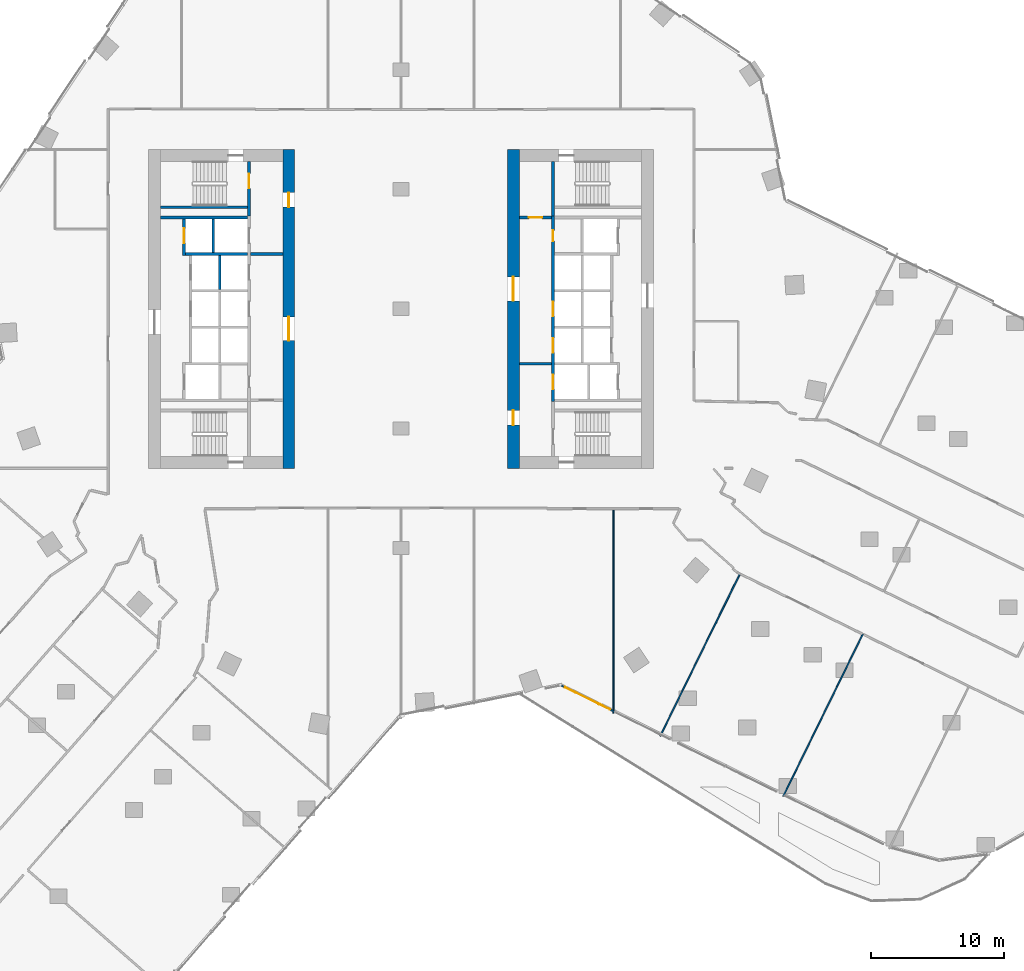
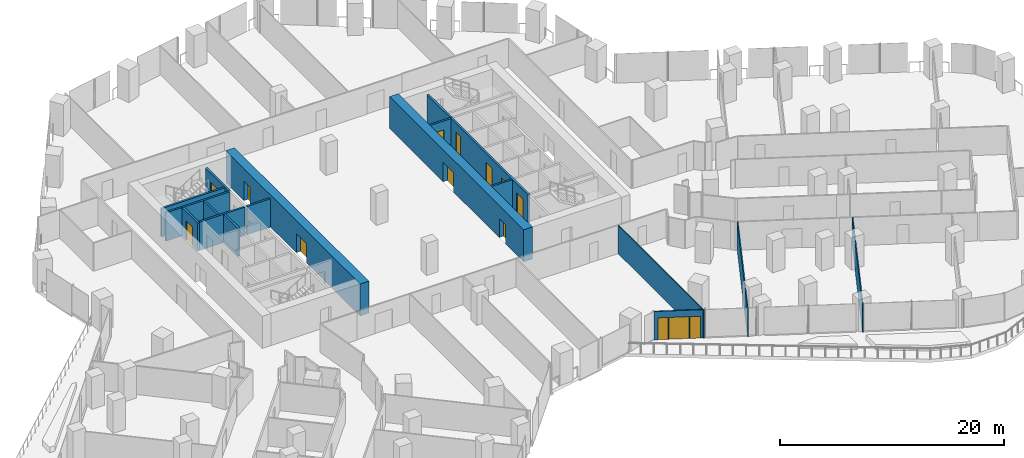
# One storey, part 24 of 32: 18 walls, 12 doors, 2 windows, 14 openings.
"""IFC4 building model written with IfcOpenShell, lengths in metres."""

from ifc_helpers import new_model, si_unit, direction, frame, frame_2d, origin, place, context, subcontext, project, spatial, rectangle, extrude, material, layer, layer_set, type_object, element, fill, save


model = new_model("IFC4")

# Units and contexts
model_context = context("Model", 3, precision=1e-05, world=origin(), true_north=direction((0.0, 1.0)))
body_context = subcontext(model_context, "Body", "Model", "MODEL_VIEW")
ifc_project = project(units=[si_unit("LENGTHUNIT", "METRE"), si_unit("AREAUNIT", "SQUARE_METRE"), si_unit("VOLUMEUNIT", "CUBIC_METRE"), si_unit("PLANEANGLEUNIT", "RADIAN"), si_unit("MASSUNIT", "GRAM", prefix="KILO")], contexts=[model_context])

# Site, building, storey
site_placement = place(None, origin())
site = spatial("IfcSite", under=ifc_project, at=site_placement, CompositionType="ELEMENT")
building_placement = place(site_placement, origin())
building = spatial("IfcBuilding", under=site, at=building_placement, Name="Orlundy Tower", CompositionType="ELEMENT")
storey_placement = place(building_placement, frame((0.0, 0.0, 58.800048828125)))
storey = spatial("IfcBuildingStorey", under=building, at=storey_placement, Name="L13", CompositionType="ELEMENT", Elevation=58.800048828125)

# Wall, openings, doors
ifc_material_1 = material(Name="Concrete C80/95", Category="concrete")
ifc_layer_1 = layer(ifc_material_1, 0.89990234375)
ifc_layer_set_1 = layer_set([ifc_layer_1], Name="CORE WALL 900 C80/95")
wall_type_1 = type_object("IfcWallType", Name="CORE WALL 900 C80/95", PredefinedType="SHEAR", material=ifc_layer_set_1)
wall_1_placement = place(storey_placement, frame((-8.449951171875, -12.0, 0.0), z_axis=(0.0, 0.0, 1.0), x_axis=(0.0, 1.0, 0.0)))
wall_1 = element("IfcWall", 1, at=wall_1_placement, inside=storey, type_object=wall_type_1, Name="Core wall W-E L13", PredefinedType="SHEAR", context=body_context, shape_type="SweptSolid", body=[
    extrude(rectangle(XDim=24.0, YDim=0.89990234375, at=frame_2d((12.0, 0.0))), origin(), (0.0, 0.0, 1.0), 3.5),
])
opening_1_placement = place(wall_1_placement, frame((9.60009765625, 0.0, 0.0)))
opening_1 = element("IfcOpeningElement", 2, at=opening_1_placement, cuts=wall_1, Name="Opening 12009", PredefinedType="OPENING", context=body_context, shape_type="SweptSolid", body=[
    extrude(rectangle(XDim=1.800048828125, YDim=2.10009765625, at=frame_2d((0.89990234375, 1.050048828125))), frame((0.0, 0.4599609375, 0.0), z_axis=(0.0, -1.0, 0.0), x_axis=(1.0, 0.0, 0.0)), (0.0, 0.0, 1.0), 0.919921875),
])
opening_2_placement = place(wall_1_placement, frame((19.64990234375, 0.0, 0.0)))
opening_2 = element("IfcOpeningElement", 3, at=opening_2_placement, cuts=wall_1, Name="Opening 12011", PredefinedType="OPENING", context=body_context, shape_type="SweptSolid", body=[
    extrude(rectangle(XDim=1.10009765625, YDim=2.10009765625, at=frame_2d((0.550048828125, 1.050048828125))), frame((0.0, 0.4599609375, 0.0), z_axis=(0.0, -1.0, 0.0), x_axis=(1.0, 0.0, 0.0)), (0.0, 0.0, 1.0), 0.919921875),
])
ifc_material_2 = material(Name="Steel door set", Category="steel")
door_type_1 = type_object("IfcDoorType", Name="Fire-fighting Lobby Door 1100x2100", OperationType="SINGLE_SWING_LEFT", PredefinedType="DOOR", material=ifc_material_2)
door_1_placement = place(opening_2_placement, origin())
door_1 = element("IfcDoor", 4, at=door_1_placement, inside=storey, type_object=door_type_1, Name="Fire-fighting lobby door 12011", OperationType="SINGLE_SWING_RIGHT", OverallHeight=2.10009765625, OverallWidth=1.10009765625, PredefinedType="DOOR", context=body_context, shape_type="SweptSolid", body=[
    extrude(rectangle(XDim=1.10009765625, YDim=2.10009765625, at=frame_2d((0.550048828125, 1.050048828125))), frame((0.0, 0.02490234375, 0.0), z_axis=(0.0, -1.0, 0.0), x_axis=(1.0, 0.0, 0.0)), (0.0, 0.0, 1.0), 0.050048828125),
])
fill(opening_2, door_1)
ifc_material_3 = material(Name="Timber door set", Category="wood")
door_type_2 = type_object("IfcDoorType", Name="Lobby Door 1800x2100", OperationType="DOUBLE_DOOR_DOUBLE_SWING", PredefinedType="DOOR", material=ifc_material_3)
door_2_placement = place(opening_1_placement, origin())
door_2 = element("IfcDoor", 5, at=door_2_placement, inside=storey, type_object=door_type_2, Name="Lift lobby door 12009", OperationType="SINGLE_SWING_LEFT", OverallHeight=2.10009765625, OverallWidth=1.800048828125, PredefinedType="DOOR", context=body_context, shape_type="SweptSolid", body=[
    extrude(rectangle(XDim=1.800048828125, YDim=2.10009765625, at=frame_2d((0.89990234375, 1.050048828125))), frame((0.0, 0.02490234375, 0.0), z_axis=(0.0, -1.0, 0.0), x_axis=(1.0, 0.0, 0.0)), (0.0, 0.0, 1.0), 0.050048828125),
])
fill(opening_1, door_2)

wall_2_placement = place(storey_placement, frame((8.449951171875, -12.0, 0.0), z_axis=(0.0, 0.0, 1.0), x_axis=(0.0, 1.0, 0.0)))
wall_2 = element("IfcWall", 6, at=wall_2_placement, inside=storey, type_object=wall_type_1, Name="Core wall E-W L13", PredefinedType="SHEAR", context=body_context, shape_type="SweptSolid", body=[
    extrude(rectangle(XDim=24.0, YDim=0.89990234375, at=frame_2d((12.0, 0.0))), origin(), (0.0, 0.0, 1.0), 3.5),
])
opening_3_placement = place(wall_2_placement, frame((12.60009765625, 0.0, 0.0)))
opening_3 = element("IfcOpeningElement", 7, at=opening_3_placement, cuts=wall_2, Name="Opening 12058", PredefinedType="OPENING", context=body_context, shape_type="SweptSolid", body=[
    extrude(rectangle(XDim=1.800048828125, YDim=2.10009765625, at=frame_2d((0.89990234375, 1.050048828125))), frame((0.0, 0.4599609375, 0.0), z_axis=(0.0, -1.0, 0.0), x_axis=(1.0, 0.0, 0.0)), (0.0, 0.0, 1.0), 0.919921875),
])
opening_4_placement = place(wall_2_placement, frame((3.25, 0.0, 0.0)))
opening_4 = element("IfcOpeningElement", 8, at=opening_4_placement, cuts=wall_2, Name="Opening 12060", PredefinedType="OPENING", context=body_context, shape_type="SweptSolid", body=[
    extrude(rectangle(XDim=1.10009765625, YDim=2.10009765625, at=frame_2d((0.550048828125, 1.050048828125))), frame((0.0, 0.4599609375, 0.0), z_axis=(0.0, -1.0, 0.0), x_axis=(1.0, 0.0, 0.0)), (0.0, 0.0, 1.0), 0.919921875),
])
door_3_placement = place(opening_4_placement, origin())
door_3 = element("IfcDoor", 9, at=door_3_placement, inside=storey, type_object=door_type_1, Name="Fire-fighting lobby door 12060", OperationType="SINGLE_SWING_LEFT", OverallHeight=2.10009765625, OverallWidth=1.10009765625, PredefinedType="DOOR", context=body_context, shape_type="SweptSolid", body=[
    extrude(rectangle(XDim=1.10009765625, YDim=2.10009765625, at=frame_2d((0.550048828125, 1.050048828125))), frame((0.0, 0.02490234375, 0.0), z_axis=(0.0, -1.0, 0.0), x_axis=(1.0, 0.0, 0.0)), (0.0, 0.0, 1.0), 0.050048828125),
])
fill(opening_4, door_3)
door_4_placement = place(opening_3_placement, origin())
door_4 = element("IfcDoor", 10, at=door_4_placement, inside=storey, type_object=door_type_2, Name="Lift lobby door 12058", OperationType="SINGLE_SWING_RIGHT", OverallHeight=2.10009765625, OverallWidth=1.800048828125, PredefinedType="DOOR", context=body_context, shape_type="SweptSolid", body=[
    extrude(rectangle(XDim=1.800048828125, YDim=2.10009765625, at=frame_2d((0.89990234375, 1.050048828125))), frame((0.0, 0.02490234375, 0.0), z_axis=(0.0, -1.0, 0.0), x_axis=(1.0, 0.0, 0.0)), (0.0, 0.0, 1.0), 0.050048828125),
])
fill(opening_3, door_4)

# Walls
ifc_material_4 = material(Name="Gypsum board partition")
ifc_layer_2 = layer(ifc_material_4, 0.10009765625)
ifc_layer_set_2 = layer_set([ifc_layer_2], Name="Floor partition 100")
wall_type_2 = type_object("IfcWallType", Name="Floor partition 100", PredefinedType="PARTITIONING", material=ifc_layer_set_2)
wall_3_placement = place(storey_placement, frame((28.76611328125, -36.695068359375, 0.0), z_axis=(0.0, 0.0, 1.0), x_axis=(0.440983805809, 0.897515060049, 0.0)))
element("IfcWall", 11, at=wall_3_placement, inside=storey, type_object=wall_type_2, Name="wall-int-L13-084", PredefinedType="PARTITIONING", context=body_context, shape_type="SweptSolid", body=[
    extrude(rectangle(XDim=13.5986328125, YDim=0.10009765625, at=frame_2d((6.79931640625, 0.0))), origin(), (0.0, 0.0, 1.0), 3.079833984375),
])
wall_4_placement = place(storey_placement, frame((19.51611328125, -32.15087890625, 0.0), z_axis=(0.0, 0.0, 1.0), x_axis=(0.440904640859, 0.897553952512, 0.0)))
element("IfcWall", 12, at=wall_4_placement, inside=storey, type_object=wall_type_2, Name="wall-int-L13-087", PredefinedType="PARTITIONING", context=body_context, shape_type="SweptSolid", body=[
    extrude(rectangle(XDim=13.598876953125, YDim=0.10009765625, at=frame_2d((6.79931640625, 0.0))), origin(), (0.0, 0.0, 1.0), 3.079833984375),
])
wall_5_placement = place(storey_placement, frame((15.998046875, -30.423095703125, 0.0), z_axis=(0.0, 0.0, 1.0), x_axis=(0.0, 1.0, 0.0)))
element("IfcWall", 13, at=wall_5_placement, inside=storey, type_object=wall_type_2, Name="wall-int-L13-101", PredefinedType="PARTITIONING", context=body_context, shape_type="SweptSolid", body=[
    extrude(rectangle(XDim=15.30908203125, YDim=0.10009765625, at=frame_2d((7.654541015625, 0.0))), origin(), (0.0, 0.0, 1.0), 3.079833984375),
])

# Wall, openings, windows, door
ifc_material_5 = material(Name="Aluminium bronze and tinted glass", Category="aluminium")
ifc_layer_3 = layer(ifc_material_5, 0.10009765625)
ifc_layer_set_3 = layer_set([ifc_layer_3], Name="Glazed door screen")
wall_type_3 = type_object("IfcWallType", Name="Glazed door screen", PredefinedType="STANDARD", material=ifc_layer_set_3)
wall_6_placement = place(storey_placement, frame((16.093505859375, -30.335693359375, 0.0), z_axis=(0.0, 0.0, 1.0), x_axis=(-0.897538680415, 0.440935729056, 0.0)))
wall_6 = element("IfcWall", 14, at=wall_6_placement, inside=storey, type_object=wall_type_3, Name="Glazed door screen", PredefinedType="STANDARD", context=body_context, shape_type="SweptSolid", body=[
    extrude(rectangle(XDim=4.55029296875, YDim=0.10009765625, at=frame_2d((2.275146484375, 0.0))), origin(), (0.0, 0.0, 1.0), 3.099853515625),
])
opening_5_placement = place(wall_6_placement, frame((1.390380859375, 0.0, 0.0)))
opening_5 = element("IfcOpeningElement", 15, at=opening_5_placement, cuts=wall_6, Name="Opening 12940", PredefinedType="OPENING", context=body_context, shape_type="SweptSolid", body=[
    extrude(rectangle(XDim=1.800048828125, YDim=2.39990234375, at=frame_2d((0.89990234375, 1.199951171875))), frame((0.0, 0.06005859375, 0.0), z_axis=(0.0, -1.0, 0.0), x_axis=(1.0, 0.0, 0.0)), (0.0, 0.0, 1.0), 0.1201171875),
])
opening_6_placement = place(wall_6_placement, frame((0.390380859375, 0.0, 0.0)))
opening_6 = element("IfcOpeningElement", 16, at=opening_6_placement, cuts=wall_6, Name="Opening W02", PredefinedType="OPENING", context=body_context, shape_type="SweptSolid", body=[
    extrude(rectangle(XDim=0.89990234375, YDim=2.39990234375, at=frame_2d((0.449951171875, 1.199951171875))), frame((0.0, 0.06005859375, 0.0), z_axis=(0.0, -1.0, 0.0), x_axis=(1.0, 0.0, 0.0)), (0.0, 0.0, 1.0), 0.1201171875),
])
opening_7_placement = place(wall_6_placement, frame((3.29052734375, 0.0, 0.0)))
opening_7 = element("IfcOpeningElement", 17, at=opening_7_placement, cuts=wall_6, Name="Opening W02", PredefinedType="OPENING", context=body_context, shape_type="SweptSolid", body=[
    extrude(rectangle(XDim=0.89990234375, YDim=2.39990234375, at=frame_2d((0.449951171875, 1.199951171875))), frame((0.0, 0.06005859375, 0.0), z_axis=(0.0, -1.0, 0.0), x_axis=(1.0, 0.0, 0.0)), (0.0, 0.0, 1.0), 0.1201171875),
])
ifc_material_6 = material(Name="Tinted glass in bronze aluminium frame", Category="aluminium")
window_type = type_object("IfcWindowType", Name="SL2 sidelight 900x2400", PartitioningType="SINGLE_PANEL", PredefinedType="WINDOW", material=ifc_material_6)
window_1_placement = place(opening_6_placement, origin())
window_1 = element("IfcWindow", 18, at=window_1_placement, inside=storey, type_object=window_type, Name="Window W02 L13", OverallHeight=2.39990234375, OverallWidth=0.89990234375, PartitioningType="SINGLE_PANEL", PredefinedType="WINDOW", context=body_context, shape_type="SweptSolid", body=[
    extrude(rectangle(XDim=0.89990234375, YDim=2.39990234375, at=frame_2d((0.449951171875, 1.199951171875))), frame((0.0, 0.030029296875, 0.0), z_axis=(0.0, -1.0, 0.0), x_axis=(1.0, 0.0, 0.0)), (0.0, 0.0, 1.0), 0.06005859375),
])
fill(opening_6, window_1)
window_2_placement = place(opening_7_placement, origin())
window_2 = element("IfcWindow", 19, at=window_2_placement, inside=storey, type_object=window_type, Name="Window W02 L13", OverallHeight=2.39990234375, OverallWidth=0.89990234375, PartitioningType="SINGLE_PANEL", PredefinedType="WINDOW", context=body_context, shape_type="SweptSolid", body=[
    extrude(rectangle(XDim=0.89990234375, YDim=2.39990234375, at=frame_2d((0.449951171875, 1.199951171875))), frame((0.0, 0.030029296875, 0.0), z_axis=(0.0, -1.0, 0.0), x_axis=(1.0, 0.0, 0.0)), (0.0, 0.0, 1.0), 0.06005859375),
])
fill(opening_7, window_2)
ifc_material_7 = material(Name="Aluminium bronze and tinted glass", Category="aluminium")
door_type_3 = type_object("IfcDoorType", Name="TD1 terrace door 1800x2400", OperationType="NOTDEFINED", PredefinedType="DOOR", material=ifc_material_7)
door_5_placement = place(opening_5_placement, origin())
door_5 = element("IfcDoor", 20, at=door_5_placement, inside=storey, type_object=door_type_3, Name="Door 12940", OperationType="DOUBLE_DOOR_SINGLE_SWING", OverallHeight=2.39990234375, OverallWidth=1.800048828125, PredefinedType="DOOR", context=body_context, shape_type="SweptSolid", body=[
    extrude(rectangle(XDim=1.800048828125, YDim=2.39990234375, at=frame_2d((0.89990234375, 1.199951171875))), frame((0.0, 0.02490234375, 0.0), z_axis=(0.0, -1.0, 0.0), x_axis=(1.0, 0.0, 0.0)), (0.0, 0.0, 1.0), 0.050048828125),
])
fill(opening_5, door_5)

# Wall, opening, door
ifc_material_8 = material(Name="Concrete C40/50", Category="concrete")
ifc_layer_4 = layer(ifc_material_8, 0.199951171875)
ifc_layer_set_4 = layer_set([ifc_layer_4], Name="Load-bearing Shaft Wall 200")
wall_type_4 = type_object("IfcWallType", Name="Load-bearing Shaft Wall 200", PredefinedType="SOLIDWALL", material=ifc_layer_set_4)
wall_7_placement = place(storey_placement, frame((-11.43994140625, 6.97509765625, 0.0), z_axis=(0.0, 0.0, 1.0), x_axis=(0.0, 1.0, 0.0)))
wall_7 = element("IfcWall", 21, at=wall_7_placement, inside=storey, type_object=wall_type_4, Name="Shaft wall W12-stair-end-n", PredefinedType="SOLIDWALL", context=body_context, shape_type="SweptSolid", body=[
    extrude(rectangle(XDim=4.125, YDim=0.199951171875, at=frame_2d((2.0625, 0.0))), origin(), (0.0, 0.0, 1.0), 3.08984375),
])
opening_8_placement = place(wall_7_placement, frame((2.10009765625, 0.0, 0.0)))
opening_8 = element("IfcOpeningElement", 22, at=opening_8_placement, cuts=wall_7, Name="Opening 12014", PredefinedType="OPENING", context=body_context, shape_type="SweptSolid", body=[
    extrude(rectangle(XDim=1.10009765625, YDim=2.10009765625, at=frame_2d((0.550048828125, 1.050048828125))), frame((0.0, 0.110107421875, 0.0), z_axis=(0.0, -1.0, 0.0), x_axis=(1.0, 0.0, 0.0)), (0.0, 0.0, 1.0), 0.22021484375),
])
door_6_placement = place(opening_8_placement, origin())
door_6 = element("IfcDoor", 23, at=door_6_placement, inside=storey, type_object=door_type_1, Name="Fire-fighting lobby to stair door 12014", OperationType="SINGLE_SWING_RIGHT", OverallHeight=2.10009765625, OverallWidth=1.10009765625, PredefinedType="DOOR", context=body_context, shape_type="SweptSolid", body=[
    extrude(rectangle(XDim=1.10009765625, YDim=2.10009765625, at=frame_2d((0.550048828125, 1.050048828125))), frame((0.0, 0.02490234375, 0.0), z_axis=(0.0, -1.0, 0.0), x_axis=(1.0, 0.0, 0.0)), (0.0, 0.0, 1.0), 0.050048828125),
])
fill(opening_8, door_6)

# Walls
wall_8_placement = place(storey_placement, frame((-11.5400390625, 7.64990234375, 0.0), z_axis=(0.0, 0.0, 1.0), x_axis=(-1.0, 0.0, 0.0)))
element("IfcWall", 24, at=wall_8_placement, inside=storey, type_object=wall_type_4, Name="Shaft wall W12-stair-side-n", PredefinedType="SOLIDWALL", context=body_context, shape_type="SweptSolid", body=[
    extrude(rectangle(XDim=6.56005859375, YDim=0.199951171875, at=frame_2d((3.280029296875, 0.0))), origin(), (0.0, 0.0, 1.0), 3.08984375),
])
wall_9_placement = place(storey_placement, frame((11.43994140625, 11.10009765625, 0.0), z_axis=(0.0, 0.0, 1.0), x_axis=(0.0, -1.0, 0.0)))
element("IfcWall", 25, at=wall_9_placement, inside=storey, type_object=wall_type_4, Name="Shaft wall E12-stair-end-s", PredefinedType="SOLIDWALL", context=body_context, shape_type="SweptSolid", body=[
    extrude(rectangle(XDim=4.125, YDim=0.199951171875, at=frame_2d((2.0625, 0.0))), origin(), (0.0, 0.0, 1.0), 3.08984375),
])
ifc_material_9 = material(Name="Gypsum board partition on steel studs", Category="steel")
ifc_layer_5 = layer(ifc_material_9, 0.199951171875)
ifc_layer_set_5 = layer_set([ifc_layer_5], Name="Partition 200")
wall_type_5 = type_object("IfcWallType", Name="Partition 200", PredefinedType="PARTITIONING", material=ifc_layer_set_5)
for number, where, z_axis, x_axis, name in (
    (26, (-8.89990234375, 4.125, 0.0), (0.0, 0.0, 1.0), (-1.0, 0.0, 0.0), "Partition wall W12-lobby-n"),
    (27, (8.89990234375, -4.125, 0.0), (0.0, 0.0, 1.0), (1.0, 0.0, 0.0), "Partition wall E12-lobby-n"),
):
    element("IfcWall", number, at=place(storey_placement, frame(where, z_axis=z_axis, x_axis=x_axis)), inside=storey, type_object=wall_type_5, Name=name, PredefinedType="PARTITIONING", context=body_context, shape_type="SweptSolid", body=[
        extrude(rectangle(XDim=2.440185546875, YDim=0.199951171875, at=frame_2d((1.22021484375, 0.0))), origin(), (0.0, 0.0, 1.0), 3.08984375),
    ])

# Wall, opening, door
wall_10_placement = place(storey_placement, frame((8.89990234375, 6.875, 0.0), z_axis=(0.0, 0.0, 1.0), x_axis=(1.0, 0.0, 0.0)))
wall_10 = element("IfcWall", 28, at=wall_10_placement, inside=storey, type_object=wall_type_5, Name="Partition wall E12-end-s", PredefinedType="PARTITIONING", context=body_context, shape_type="SweptSolid", body=[
    extrude(rectangle(XDim=2.440185546875, YDim=0.199951171875, at=frame_2d((1.22021484375, 0.0))), origin(), (0.0, 0.0, 1.0), 3.08984375),
])
opening_9_placement = place(wall_10_placement, frame((0.719970703125, 0.0, 0.0)))
opening_9 = element("IfcOpeningElement", 29, at=opening_9_placement, cuts=wall_10, Name="Opening 12064", PredefinedType="OPENING", context=body_context, shape_type="SweptSolid", body=[
    extrude(rectangle(XDim=1.0, YDim=2.10009765625, at=frame_2d((0.5, 1.050048828125))), frame((0.0, 0.110107421875, 0.0), z_axis=(0.0, -1.0, 0.0), x_axis=(1.0, 0.0, 0.0)), (0.0, 0.0, 1.0), 0.22021484375),
])
ifc_material_10 = material(Name="Timber door set", Category="wood")
door_type_4 = type_object("IfcDoorType", Name="Accessible Door 1000x2100", OperationType="SINGLE_SWING_LEFT", PredefinedType="DOOR", material=ifc_material_10)
door_7_placement = place(opening_9_placement, origin())
door_7 = element("IfcDoor", 30, at=door_7_placement, inside=storey, type_object=door_type_4, Name="Accessible WC door 12064", OperationType="SINGLE_SWING_RIGHT", OverallHeight=2.10009765625, OverallWidth=1.0, PredefinedType="DOOR", context=body_context, shape_type="SweptSolid", body=[
    extrude(rectangle(XDim=1.0, YDim=2.10009765625, at=frame_2d((0.5, 1.050048828125))), frame((0.0, 0.02490234375, 0.0), z_axis=(0.0, -1.0, 0.0), x_axis=(1.0, 0.0, 0.0)), (0.0, 0.0, 1.0), 0.050048828125),
])
fill(opening_9, door_7)

# Walls
ifc_material_11 = material(Name="Fire-rated blockwork shaft wall", Category="masonry")
ifc_layer_6 = layer(ifc_material_11, 0.199951171875)
ifc_layer_set_6 = layer_set([ifc_layer_6], Name="Shaft Wall 200")
wall_type_6 = type_object("IfcWallType", Name="Shaft Wall 200", PredefinedType="SOLIDWALL", material=ifc_layer_set_6)
wall_11_placement = place(storey_placement, frame((-11.5400390625, 6.875, 0.0), z_axis=(0.0, 0.0, 1.0), x_axis=(-1.0, 0.0, 0.0)))
element("IfcWall", 31, at=wall_11_placement, inside=storey, type_object=wall_type_6, Name="Shaft wall W12-zone-n", PredefinedType="SOLIDWALL", context=body_context, shape_type="SweptSolid", body=[
    extrude(rectangle(XDim=6.56005859375, YDim=0.199951171875, at=frame_2d((3.280029296875, 0.0))), origin(), (0.0, 0.0, 1.0), 3.08984375),
])
wall_12_placement = place(storey_placement, frame((-11.5400390625, 4.125, 0.0), z_axis=(0.0, 0.0, 1.0), x_axis=(-1.0, 0.0, 0.0)))
element("IfcWall", 32, at=wall_12_placement, inside=storey, type_object=wall_type_6, Name="Shaft wall W12-cross+4.125", PredefinedType="SOLIDWALL", context=body_context, shape_type="SweptSolid", body=[
    extrude(rectangle(XDim=4.699951171875, YDim=0.199951171875, at=frame_2d((2.35009765625, 0.0))), origin(), (0.0, 0.0, 1.0), 3.08984375),
])
for number, where, z_axis, x_axis, name in (
    (33, (-13.639892578125, 1.47509765625, 0.0), (0.0, 0.0, 1.0), (0.0, 1.0, 0.0), "Shaft wall W12-mid-a.3"),
    (34, (-14.139892578125, 4.22509765625, 0.0), (0.0, 0.0, 1.0), (0.0, 1.0, 0.0), "Shaft wall W12-mid-b"),
):
    element("IfcWall", number, at=place(storey_placement, frame(where, z_axis=z_axis, x_axis=x_axis)), inside=storey, type_object=wall_type_6, Name=name, PredefinedType="SOLIDWALL", context=body_context, shape_type="SweptSolid", body=[
        extrude(rectangle(XDim=2.5498046875, YDim=0.199951171875, at=frame_2d((1.27490234375, 0.0))), origin(), (0.0, 0.0, 1.0), 3.08984375),
    ])

# Wall, opening, door
wall_13_placement = place(storey_placement, frame((-16.340087890625, 4.02490234375, 0.0), z_axis=(0.0, 0.0, 1.0), x_axis=(0.0, 1.0, 0.0)))
wall_13 = element("IfcWall", 35, at=wall_13_placement, inside=storey, type_object=wall_type_6, Name="Shaft wall W12-front-o-c", PredefinedType="SOLIDWALL", context=body_context, shape_type="SweptSolid", body=[
    extrude(rectangle(XDim=2.75, YDim=0.199951171875, at=frame_2d((1.375, 0.0))), origin(), (0.0, 0.0, 1.0), 3.08984375),
])
opening_10_placement = place(wall_13_placement, frame((0.925048828125, 0.0, 0.0)))
opening_10 = element("IfcOpeningElement", 36, at=opening_10_placement, cuts=wall_13, Name="Opening 12007", PredefinedType="OPENING", context=body_context, shape_type="SweptSolid", body=[
    extrude(rectangle(XDim=1.10009765625, YDim=2.10009765625, at=frame_2d((0.550048828125, 1.050048828125))), frame((0.0, 0.110107421875, 0.0), z_axis=(0.0, -1.0, 0.0), x_axis=(1.0, 0.0, 0.0)), (0.0, 0.0, 1.0), 0.22021484375),
])
ifc_material_12 = material(Name="Steel door set", Category="steel")
door_type_5 = type_object("IfcDoorType", Name="Landing Door 1100x2100", OperationType="DOUBLE_DOOR_SLIDING", PredefinedType="DOOR", material=ifc_material_12)
door_8_placement = place(opening_10_placement, origin())
door_8 = element("IfcDoor", 37, at=door_8_placement, inside=storey, type_object=door_type_5, Name="Lift landing door LP-04 12007", OperationType="DOUBLE_DOOR_SLIDING", OverallHeight=2.10009765625, OverallWidth=1.10009765625, PredefinedType="DOOR", context=body_context, shape_type="SweptSolid", body=[
    extrude(rectangle(XDim=1.10009765625, YDim=2.10009765625, at=frame_2d((0.550048828125, 1.050048828125))), frame((0.0, 0.02490234375, 0.0), z_axis=(0.0, -1.0, 0.0), x_axis=(1.0, 0.0, 0.0)), (0.0, 0.0, 1.0), 0.050048828125),
])
fill(opening_10, door_8)

# Wall, openings, doors
wall_14_placement = place(storey_placement, frame((11.43994140625, 6.97509765625, 0.0), z_axis=(0.0, 0.0, 1.0), x_axis=(0.0, -1.0, 0.0)))
wall_14 = element("IfcWall", 38, at=wall_14_placement, inside=storey, type_object=wall_type_6, Name="Shaft wall E12-front-h", PredefinedType="SOLIDWALL", context=body_context, shape_type="SweptSolid", body=[
    extrude(rectangle(XDim=13.9501953125, YDim=0.199951171875, at=frame_2d((6.97509765625, 0.0))), origin(), (0.0, 0.0, 1.0), 3.08984375),
])
opening_11_placement = place(wall_14_placement, frame((6.425048828125, 0.0, 0.0)))
opening_11 = element("IfcOpeningElement", 39, at=opening_11_placement, cuts=wall_14, Name="Opening 12051", PredefinedType="OPENING", context=body_context, shape_type="SweptSolid", body=[
    extrude(rectangle(XDim=1.10009765625, YDim=2.10009765625, at=frame_2d((0.550048828125, 1.050048828125))), frame((0.0, 0.110107421875, 0.0), z_axis=(0.0, -1.0, 0.0), x_axis=(1.0, 0.0, 0.0)), (0.0, 0.0, 1.0), 0.22021484375),
])
opening_12_placement = place(wall_14_placement, frame((9.175048828125, 0.0, 0.0)))
opening_12 = element("IfcOpeningElement", 40, at=opening_12_placement, cuts=wall_14, Name="Opening 12053", PredefinedType="OPENING", context=body_context, shape_type="SweptSolid", body=[
    extrude(rectangle(XDim=1.10009765625, YDim=2.10009765625, at=frame_2d((0.550048828125, 1.050048828125))), frame((0.0, 0.110107421875, 0.0), z_axis=(0.0, -1.0, 0.0), x_axis=(1.0, 0.0, 0.0)), (0.0, 0.0, 1.0), 0.22021484375),
])
opening_13_placement = place(wall_14_placement, frame((11.925048828125, 0.0, 0.0)))
opening_13 = element("IfcOpeningElement", 41, at=opening_13_placement, cuts=wall_14, Name="Opening 12055", PredefinedType="OPENING", context=body_context, shape_type="SweptSolid", body=[
    extrude(rectangle(XDim=1.10009765625, YDim=2.10009765625, at=frame_2d((0.550048828125, 1.050048828125))), frame((0.0, 0.110107421875, 0.0), z_axis=(0.0, -1.0, 0.0), x_axis=(1.0, 0.0, 0.0)), (0.0, 0.0, 1.0), 0.22021484375),
])
opening_14_placement = place(wall_14_placement, frame((1.074951171875, 0.0, 0.0)))
opening_14 = element("IfcOpeningElement", 42, at=opening_14_placement, cuts=wall_14, Name="Opening 12057", PredefinedType="OPENING", context=body_context, shape_type="SweptSolid", body=[
    extrude(rectangle(XDim=0.800048828125, YDim=2.10009765625, at=frame_2d((0.39990234375, 1.050048828125))), frame((0.0, 0.110107421875, 0.0), z_axis=(0.0, -1.0, 0.0), x_axis=(1.0, 0.0, 0.0)), (0.0, 0.0, 1.0), 0.22021484375),
])
door_9_placement = place(opening_11_placement, origin())
door_9 = element("IfcDoor", 43, at=door_9_placement, inside=storey, type_object=door_type_5, Name="Lift landing door LP-10 12051", OperationType="DOUBLE_DOOR_SLIDING", OverallHeight=2.10009765625, OverallWidth=1.10009765625, PredefinedType="DOOR", context=body_context, shape_type="SweptSolid", body=[
    extrude(rectangle(XDim=1.10009765625, YDim=2.10009765625, at=frame_2d((0.550048828125, 1.050048828125))), frame((0.0, 0.02490234375, 0.0), z_axis=(0.0, -1.0, 0.0), x_axis=(1.0, 0.0, 0.0)), (0.0, 0.0, 1.0), 0.050048828125),
])
fill(opening_11, door_9)
door_10_placement = place(opening_12_placement, origin())
door_10 = element("IfcDoor", 44, at=door_10_placement, inside=storey, type_object=door_type_5, Name="Lift landing door LP-07 12053", OperationType="DOUBLE_DOOR_SLIDING", OverallHeight=2.10009765625, OverallWidth=1.10009765625, PredefinedType="DOOR", context=body_context, shape_type="SweptSolid", body=[
    extrude(rectangle(XDim=1.10009765625, YDim=2.10009765625, at=frame_2d((0.550048828125, 1.050048828125))), frame((0.0, 0.02490234375, 0.0), z_axis=(0.0, -1.0, 0.0), x_axis=(1.0, 0.0, 0.0)), (0.0, 0.0, 1.0), 0.050048828125),
])
fill(opening_12, door_10)
door_11_placement = place(opening_13_placement, origin())
door_11 = element("IfcDoor", 45, at=door_11_placement, inside=storey, type_object=door_type_5, Name="Lift landing door FL2 12055", OperationType="DOUBLE_DOOR_SLIDING", OverallHeight=2.10009765625, OverallWidth=1.10009765625, PredefinedType="DOOR", context=body_context, shape_type="SweptSolid", body=[
    extrude(rectangle(XDim=1.10009765625, YDim=2.10009765625, at=frame_2d((0.550048828125, 1.050048828125))), frame((0.0, 0.02490234375, 0.0), z_axis=(0.0, -1.0, 0.0), x_axis=(1.0, 0.0, 0.0)), (0.0, 0.0, 1.0), 0.050048828125),
])
fill(opening_13, door_11)
ifc_material_13 = material(Name="Timber door set", Category="wood")
door_type_6 = type_object("IfcDoorType", Name="Riser Door 800x2100", OperationType="SINGLE_SWING_LEFT", PredefinedType="DOOR", material=ifc_material_13)
door_12_placement = place(opening_14_placement, origin())
door_12 = element("IfcDoor", 46, at=door_12_placement, inside=storey, type_object=door_type_6, Name="Electrical Riser Room door 12057", OperationType="SINGLE_SWING_LEFT", OverallHeight=2.10009765625, OverallWidth=0.800048828125, PredefinedType="DOOR", context=body_context, shape_type="SweptSolid", body=[
    extrude(rectangle(XDim=0.800048828125, YDim=2.10009765625, at=frame_2d((0.39990234375, 1.050048828125))), frame((0.0, 0.02490234375, 0.0), z_axis=(0.0, -1.0, 0.0), x_axis=(1.0, 0.0, 0.0)), (0.0, 0.0, 1.0), 0.050048828125),
])
fill(opening_14, door_12)

save(model, "model.ifc")
